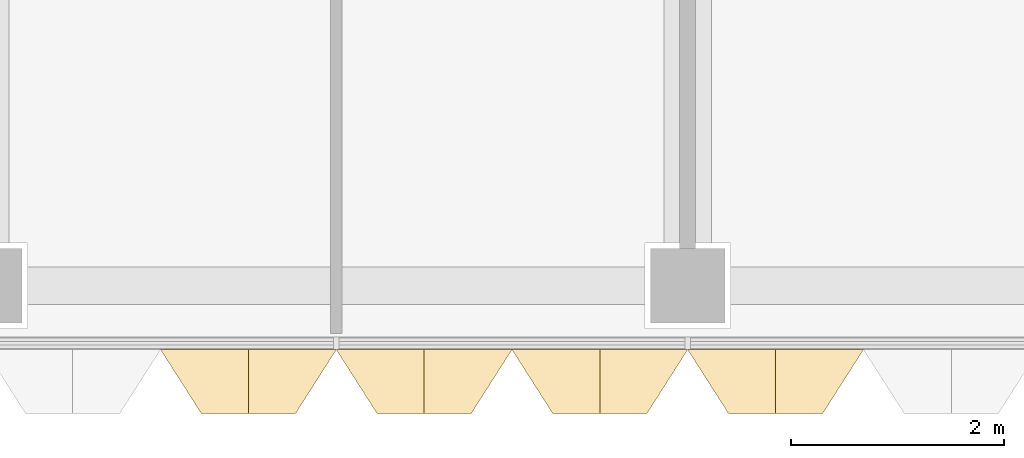
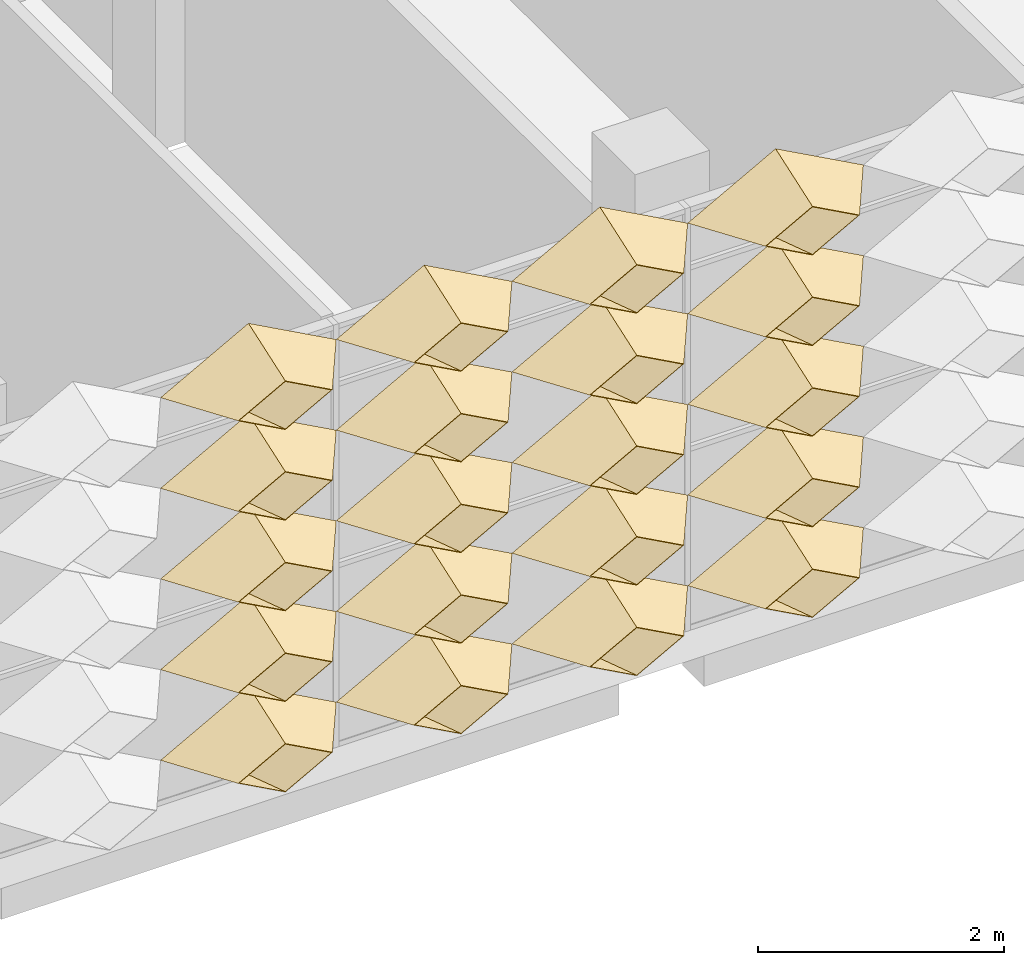
# One storey, part 16 of 29: 20 coverings.
"""IFC4 building model written with IfcOpenShell, lengths in metres."""

from ifc_helpers import new_model, entity, si_unit, direction, frame, origin, place, context, subcontext, project, spatial, material, layer, layer_set, type_object, element, save


model = new_model("IFC4")

# Units and contexts
model_context = context("Model", 3, precision=1e-05, world=origin(), true_north=direction((0.0, 1.0)))
body_context = subcontext(model_context, "Body", "Model", "MODEL_VIEW")
ifc_project = project(units=[si_unit("LENGTHUNIT", "METRE"), si_unit("AREAUNIT", "SQUARE_METRE"), si_unit("VOLUMEUNIT", "CUBIC_METRE"), si_unit("PLANEANGLEUNIT", "RADIAN"), si_unit("MASSUNIT", "GRAM", prefix="KILO")], contexts=[model_context])

# Site, building, storey
site_placement = place(None, origin())
site = spatial("IfcSite", under=ifc_project, at=site_placement, CompositionType="ELEMENT")
building_placement = place(site_placement, origin())
building = spatial("IfcBuilding", under=site, at=building_placement, Name="Lantern Court Research Institute", CompositionType="ELEMENT")
storey_placement = place(building_placement, frame((0.0, 0.0, 32.39990234375)))
storey = spatial("IfcBuildingStorey", under=building, at=storey_placement, Name="L07", CompositionType="ELEMENT", Elevation=32.39990234375)

# Coverings
ifc_material = material(Name="Anodised aluminium", Category="aluminium")
ifc_layer = layer(ifc_material, 0.01611328125)
ifc_layer_set = layer_set([ifc_layer], Name="Anodised aluminium")
covering_type = type_object("IfcCoveringType", Name="Fin cassette 1650 x 900 x 600 aluminium", PredefinedType="CLADDING", material=ifc_layer_set)
covering_1_placement = place(storey_placement, frame((68.47509765625, -8.39990234375, 0.4501953125), z_axis=(0.0, -1.0, 0.0), x_axis=(1.0, 0.0, 0.0)))
cartesian_point_1 = entity("IfcCartesianPoint", [0.824951171875, 0.0])
cartesian_point_2 = entity("IfcCartesianPoint", [0.79150390625, 0.0])
cartesian_point_3 = entity("IfcCartesianPoint", [0.44189453125, 0.0])
cartesian_point_4 = entity("IfcCartesianPoint", [0.43359375, 0.0])
element("IfcCovering", 1, at=covering_1_placement, inside=storey, type_object=covering_type, Name="Fin cassette V5S-L07 1.42", PredefinedType="CLADDING", context=body_context, shape_type="SweptSolid", body=[
    entity("IfcExtrudedAreaSolidTapered", entity("IfcArbitraryProfileDefWithVoids", "AREA", None, entity("IfcPolyline", [cartesian_point_1, entity("IfcCartesianPoint", [0.0, 0.449951171875]), entity("IfcCartesianPoint", [-0.824951171875, 0.0]), entity("IfcCartesianPoint", [0.0, -0.449951171875]), cartesian_point_1]), [entity("IfcPolyline", [cartesian_point_2, entity("IfcCartesianPoint", [0.0, 0.431884765625]), entity("IfcCartesianPoint", [-0.79150390625, 0.0]), entity("IfcCartesianPoint", [0.0, -0.431884765625]), cartesian_point_2])]), entity("IfcAxis2Placement3D", entity("IfcCartesianPoint", [0.0, 0.0, 0.0])), entity("IfcDirection", [0.0, 0.0, 1.0]), 0.60009765625, entity("IfcArbitraryProfileDefWithVoids", "AREA", None, entity("IfcPolyline", [cartesian_point_3, entity("IfcCartesianPoint", [0.0, 0.240966796875]), entity("IfcCartesianPoint", [-0.44189453125, 0.0]), entity("IfcCartesianPoint", [0.0, -0.240966796875]), cartesian_point_3]), [entity("IfcPolyline", [cartesian_point_4, entity("IfcCartesianPoint", [0.0, 0.236572265625]), entity("IfcCartesianPoint", [-0.43359375, 0.0]), entity("IfcCartesianPoint", [0.0, -0.236572265625]), cartesian_point_4])])),
])
covering_2_placement = place(storey_placement, frame((70.125, -8.39990234375, 0.4501953125), z_axis=(0.0, -1.0, 0.0), x_axis=(1.0, 0.0, 0.0)))
cartesian_point_5 = entity("IfcCartesianPoint", [0.824951171875, 0.0])
cartesian_point_6 = entity("IfcCartesianPoint", [0.79150390625, 0.0])
cartesian_point_7 = entity("IfcCartesianPoint", [0.44189453125, 0.0])
cartesian_point_8 = entity("IfcCartesianPoint", [0.43359375, 0.0])
element("IfcCovering", 2, at=covering_2_placement, inside=storey, type_object=covering_type, Name="Fin cassette V5S-L07 1.43", PredefinedType="CLADDING", context=body_context, shape_type="SweptSolid", body=[
    entity("IfcExtrudedAreaSolidTapered", entity("IfcArbitraryProfileDefWithVoids", "AREA", None, entity("IfcPolyline", [cartesian_point_5, entity("IfcCartesianPoint", [0.0, 0.449951171875]), entity("IfcCartesianPoint", [-0.824951171875, 0.0]), entity("IfcCartesianPoint", [0.0, -0.449951171875]), cartesian_point_5]), [entity("IfcPolyline", [cartesian_point_6, entity("IfcCartesianPoint", [0.0, 0.431884765625]), entity("IfcCartesianPoint", [-0.79150390625, 0.0]), entity("IfcCartesianPoint", [0.0, -0.431884765625]), cartesian_point_6])]), entity("IfcAxis2Placement3D", entity("IfcCartesianPoint", [0.0, 0.0, 0.0])), entity("IfcDirection", [0.0, 0.0, 1.0]), 0.60009765625, entity("IfcArbitraryProfileDefWithVoids", "AREA", None, entity("IfcPolyline", [cartesian_point_7, entity("IfcCartesianPoint", [0.0, 0.240966796875]), entity("IfcCartesianPoint", [-0.44189453125, 0.0]), entity("IfcCartesianPoint", [0.0, -0.240966796875]), cartesian_point_7]), [entity("IfcPolyline", [cartesian_point_8, entity("IfcCartesianPoint", [0.0, 0.236572265625]), entity("IfcCartesianPoint", [-0.43359375, 0.0]), entity("IfcCartesianPoint", [0.0, -0.236572265625]), cartesian_point_8])])),
])
covering_3_placement = place(storey_placement, frame((71.77490234375, -8.39990234375, 0.4501953125), z_axis=(0.0, -1.0, 0.0), x_axis=(1.0, 0.0, 0.0)))
cartesian_point_9 = entity("IfcCartesianPoint", [0.824951171875, 0.0])
cartesian_point_10 = entity("IfcCartesianPoint", [0.79150390625, 0.0])
cartesian_point_11 = entity("IfcCartesianPoint", [0.44189453125, 0.0])
cartesian_point_12 = entity("IfcCartesianPoint", [0.43359375, 0.0])
element("IfcCovering", 3, at=covering_3_placement, inside=storey, type_object=covering_type, Name="Fin cassette V5S-L07 1.44", PredefinedType="CLADDING", context=body_context, shape_type="SweptSolid", body=[
    entity("IfcExtrudedAreaSolidTapered", entity("IfcArbitraryProfileDefWithVoids", "AREA", None, entity("IfcPolyline", [cartesian_point_9, entity("IfcCartesianPoint", [0.0, 0.449951171875]), entity("IfcCartesianPoint", [-0.824951171875, 0.0]), entity("IfcCartesianPoint", [0.0, -0.449951171875]), cartesian_point_9]), [entity("IfcPolyline", [cartesian_point_10, entity("IfcCartesianPoint", [0.0, 0.431884765625]), entity("IfcCartesianPoint", [-0.79150390625, 0.0]), entity("IfcCartesianPoint", [0.0, -0.431884765625]), cartesian_point_10])]), entity("IfcAxis2Placement3D", entity("IfcCartesianPoint", [0.0, 0.0, 0.0])), entity("IfcDirection", [0.0, 0.0, 1.0]), 0.60009765625, entity("IfcArbitraryProfileDefWithVoids", "AREA", None, entity("IfcPolyline", [cartesian_point_11, entity("IfcCartesianPoint", [0.0, 0.240966796875]), entity("IfcCartesianPoint", [-0.44189453125, 0.0]), entity("IfcCartesianPoint", [0.0, -0.240966796875]), cartesian_point_11]), [entity("IfcPolyline", [cartesian_point_12, entity("IfcCartesianPoint", [0.0, 0.236572265625]), entity("IfcCartesianPoint", [-0.43359375, 0.0]), entity("IfcCartesianPoint", [0.0, -0.236572265625]), cartesian_point_12])])),
])
covering_4_placement = place(storey_placement, frame((73.425048828125, -8.39990234375, 0.4501953125), z_axis=(0.0, -1.0, 0.0), x_axis=(1.0, 0.0, 0.0)))
cartesian_point_13 = entity("IfcCartesianPoint", [0.824951171875, 0.0])
cartesian_point_14 = entity("IfcCartesianPoint", [0.79150390625, 0.0])
cartesian_point_15 = entity("IfcCartesianPoint", [0.44189453125, 0.0])
cartesian_point_16 = entity("IfcCartesianPoint", [0.43359375, 0.0])
element("IfcCovering", 4, at=covering_4_placement, inside=storey, type_object=covering_type, Name="Fin cassette V5S-L07 1.45", PredefinedType="CLADDING", context=body_context, shape_type="SweptSolid", body=[
    entity("IfcExtrudedAreaSolidTapered", entity("IfcArbitraryProfileDefWithVoids", "AREA", None, entity("IfcPolyline", [cartesian_point_13, entity("IfcCartesianPoint", [0.0, 0.449951171875]), entity("IfcCartesianPoint", [-0.824951171875, 0.0]), entity("IfcCartesianPoint", [0.0, -0.449951171875]), cartesian_point_13]), [entity("IfcPolyline", [cartesian_point_14, entity("IfcCartesianPoint", [0.0, 0.431884765625]), entity("IfcCartesianPoint", [-0.79150390625, 0.0]), entity("IfcCartesianPoint", [0.0, -0.431884765625]), cartesian_point_14])]), entity("IfcAxis2Placement3D", entity("IfcCartesianPoint", [0.0, 0.0, 0.0])), entity("IfcDirection", [0.0, 0.0, 1.0]), 0.60009765625, entity("IfcArbitraryProfileDefWithVoids", "AREA", None, entity("IfcPolyline", [cartesian_point_15, entity("IfcCartesianPoint", [0.0, 0.240966796875]), entity("IfcCartesianPoint", [-0.44189453125, 0.0]), entity("IfcCartesianPoint", [0.0, -0.240966796875]), cartesian_point_15]), [entity("IfcPolyline", [cartesian_point_16, entity("IfcCartesianPoint", [0.0, 0.236572265625]), entity("IfcCartesianPoint", [-0.43359375, 0.0]), entity("IfcCartesianPoint", [0.0, -0.236572265625]), cartesian_point_16])])),
])
covering_5_placement = place(storey_placement, frame((68.47509765625, -8.39990234375, 1.35009765625), z_axis=(0.0, -1.0, 0.0), x_axis=(1.0, 0.0, 0.0)))
cartesian_point_17 = entity("IfcCartesianPoint", [0.824951171875, 0.0])
cartesian_point_18 = entity("IfcCartesianPoint", [0.79150390625, 0.0])
cartesian_point_19 = entity("IfcCartesianPoint", [0.44189453125, 0.0])
cartesian_point_20 = entity("IfcCartesianPoint", [0.43359375, 0.0])
element("IfcCovering", 5, at=covering_5_placement, inside=storey, type_object=covering_type, Name="Fin cassette V5S-L07 2.42", PredefinedType="CLADDING", context=body_context, shape_type="SweptSolid", body=[
    entity("IfcExtrudedAreaSolidTapered", entity("IfcArbitraryProfileDefWithVoids", "AREA", None, entity("IfcPolyline", [cartesian_point_17, entity("IfcCartesianPoint", [0.0, 0.449951171875]), entity("IfcCartesianPoint", [-0.824951171875, 0.0]), entity("IfcCartesianPoint", [0.0, -0.449951171875]), cartesian_point_17]), [entity("IfcPolyline", [cartesian_point_18, entity("IfcCartesianPoint", [0.0, 0.431884765625]), entity("IfcCartesianPoint", [-0.79150390625, 0.0]), entity("IfcCartesianPoint", [0.0, -0.431884765625]), cartesian_point_18])]), entity("IfcAxis2Placement3D", entity("IfcCartesianPoint", [0.0, 0.0, 0.0])), entity("IfcDirection", [0.0, 0.0, 1.0]), 0.60009765625, entity("IfcArbitraryProfileDefWithVoids", "AREA", None, entity("IfcPolyline", [cartesian_point_19, entity("IfcCartesianPoint", [0.0, 0.240966796875]), entity("IfcCartesianPoint", [-0.44189453125, 0.0]), entity("IfcCartesianPoint", [0.0, -0.240966796875]), cartesian_point_19]), [entity("IfcPolyline", [cartesian_point_20, entity("IfcCartesianPoint", [0.0, 0.236572265625]), entity("IfcCartesianPoint", [-0.43359375, 0.0]), entity("IfcCartesianPoint", [0.0, -0.236572265625]), cartesian_point_20])])),
])
covering_6_placement = place(storey_placement, frame((70.125, -8.39990234375, 1.35009765625), z_axis=(0.0, -1.0, 0.0), x_axis=(1.0, 0.0, 0.0)))
cartesian_point_21 = entity("IfcCartesianPoint", [0.824951171875, 0.0])
cartesian_point_22 = entity("IfcCartesianPoint", [0.79150390625, 0.0])
cartesian_point_23 = entity("IfcCartesianPoint", [0.44189453125, 0.0])
cartesian_point_24 = entity("IfcCartesianPoint", [0.43359375, 0.0])
element("IfcCovering", 6, at=covering_6_placement, inside=storey, type_object=covering_type, Name="Fin cassette V5S-L07 2.43", PredefinedType="CLADDING", context=body_context, shape_type="SweptSolid", body=[
    entity("IfcExtrudedAreaSolidTapered", entity("IfcArbitraryProfileDefWithVoids", "AREA", None, entity("IfcPolyline", [cartesian_point_21, entity("IfcCartesianPoint", [0.0, 0.449951171875]), entity("IfcCartesianPoint", [-0.824951171875, 0.0]), entity("IfcCartesianPoint", [0.0, -0.449951171875]), cartesian_point_21]), [entity("IfcPolyline", [cartesian_point_22, entity("IfcCartesianPoint", [0.0, 0.431884765625]), entity("IfcCartesianPoint", [-0.79150390625, 0.0]), entity("IfcCartesianPoint", [0.0, -0.431884765625]), cartesian_point_22])]), entity("IfcAxis2Placement3D", entity("IfcCartesianPoint", [0.0, 0.0, 0.0])), entity("IfcDirection", [0.0, 0.0, 1.0]), 0.60009765625, entity("IfcArbitraryProfileDefWithVoids", "AREA", None, entity("IfcPolyline", [cartesian_point_23, entity("IfcCartesianPoint", [0.0, 0.240966796875]), entity("IfcCartesianPoint", [-0.44189453125, 0.0]), entity("IfcCartesianPoint", [0.0, -0.240966796875]), cartesian_point_23]), [entity("IfcPolyline", [cartesian_point_24, entity("IfcCartesianPoint", [0.0, 0.236572265625]), entity("IfcCartesianPoint", [-0.43359375, 0.0]), entity("IfcCartesianPoint", [0.0, -0.236572265625]), cartesian_point_24])])),
])
covering_7_placement = place(storey_placement, frame((71.77490234375, -8.39990234375, 1.35009765625), z_axis=(0.0, -1.0, 0.0), x_axis=(1.0, 0.0, 0.0)))
cartesian_point_25 = entity("IfcCartesianPoint", [0.824951171875, 0.0])
cartesian_point_26 = entity("IfcCartesianPoint", [0.79150390625, 0.0])
cartesian_point_27 = entity("IfcCartesianPoint", [0.44189453125, 0.0])
cartesian_point_28 = entity("IfcCartesianPoint", [0.43359375, 0.0])
element("IfcCovering", 7, at=covering_7_placement, inside=storey, type_object=covering_type, Name="Fin cassette V5S-L07 2.44", PredefinedType="CLADDING", context=body_context, shape_type="SweptSolid", body=[
    entity("IfcExtrudedAreaSolidTapered", entity("IfcArbitraryProfileDefWithVoids", "AREA", None, entity("IfcPolyline", [cartesian_point_25, entity("IfcCartesianPoint", [0.0, 0.449951171875]), entity("IfcCartesianPoint", [-0.824951171875, 0.0]), entity("IfcCartesianPoint", [0.0, -0.449951171875]), cartesian_point_25]), [entity("IfcPolyline", [cartesian_point_26, entity("IfcCartesianPoint", [0.0, 0.431884765625]), entity("IfcCartesianPoint", [-0.79150390625, 0.0]), entity("IfcCartesianPoint", [0.0, -0.431884765625]), cartesian_point_26])]), entity("IfcAxis2Placement3D", entity("IfcCartesianPoint", [0.0, 0.0, 0.0])), entity("IfcDirection", [0.0, 0.0, 1.0]), 0.60009765625, entity("IfcArbitraryProfileDefWithVoids", "AREA", None, entity("IfcPolyline", [cartesian_point_27, entity("IfcCartesianPoint", [0.0, 0.240966796875]), entity("IfcCartesianPoint", [-0.44189453125, 0.0]), entity("IfcCartesianPoint", [0.0, -0.240966796875]), cartesian_point_27]), [entity("IfcPolyline", [cartesian_point_28, entity("IfcCartesianPoint", [0.0, 0.236572265625]), entity("IfcCartesianPoint", [-0.43359375, 0.0]), entity("IfcCartesianPoint", [0.0, -0.236572265625]), cartesian_point_28])])),
])
covering_8_placement = place(storey_placement, frame((73.425048828125, -8.39990234375, 1.35009765625), z_axis=(0.0, -1.0, 0.0), x_axis=(1.0, 0.0, 0.0)))
cartesian_point_29 = entity("IfcCartesianPoint", [0.824951171875, 0.0])
cartesian_point_30 = entity("IfcCartesianPoint", [0.79150390625, 0.0])
cartesian_point_31 = entity("IfcCartesianPoint", [0.44189453125, 0.0])
cartesian_point_32 = entity("IfcCartesianPoint", [0.43359375, 0.0])
element("IfcCovering", 8, at=covering_8_placement, inside=storey, type_object=covering_type, Name="Fin cassette V5S-L07 2.45", PredefinedType="CLADDING", context=body_context, shape_type="SweptSolid", body=[
    entity("IfcExtrudedAreaSolidTapered", entity("IfcArbitraryProfileDefWithVoids", "AREA", None, entity("IfcPolyline", [cartesian_point_29, entity("IfcCartesianPoint", [0.0, 0.449951171875]), entity("IfcCartesianPoint", [-0.824951171875, 0.0]), entity("IfcCartesianPoint", [0.0, -0.449951171875]), cartesian_point_29]), [entity("IfcPolyline", [cartesian_point_30, entity("IfcCartesianPoint", [0.0, 0.431884765625]), entity("IfcCartesianPoint", [-0.79150390625, 0.0]), entity("IfcCartesianPoint", [0.0, -0.431884765625]), cartesian_point_30])]), entity("IfcAxis2Placement3D", entity("IfcCartesianPoint", [0.0, 0.0, 0.0])), entity("IfcDirection", [0.0, 0.0, 1.0]), 0.60009765625, entity("IfcArbitraryProfileDefWithVoids", "AREA", None, entity("IfcPolyline", [cartesian_point_31, entity("IfcCartesianPoint", [0.0, 0.240966796875]), entity("IfcCartesianPoint", [-0.44189453125, 0.0]), entity("IfcCartesianPoint", [0.0, -0.240966796875]), cartesian_point_31]), [entity("IfcPolyline", [cartesian_point_32, entity("IfcCartesianPoint", [0.0, 0.236572265625]), entity("IfcCartesianPoint", [-0.43359375, 0.0]), entity("IfcCartesianPoint", [0.0, -0.236572265625]), cartesian_point_32])])),
])
covering_9_placement = place(storey_placement, frame((68.47509765625, -8.39990234375, 2.25), z_axis=(0.0, -1.0, 0.0), x_axis=(1.0, 0.0, 0.0)))
cartesian_point_33 = entity("IfcCartesianPoint", [0.824951171875, 0.0])
cartesian_point_34 = entity("IfcCartesianPoint", [0.79150390625, 0.0])
cartesian_point_35 = entity("IfcCartesianPoint", [0.44189453125, 0.0])
cartesian_point_36 = entity("IfcCartesianPoint", [0.43359375, 0.0])
element("IfcCovering", 9, at=covering_9_placement, inside=storey, type_object=covering_type, Name="Fin cassette V5S-L07 3.42", PredefinedType="CLADDING", context=body_context, shape_type="SweptSolid", body=[
    entity("IfcExtrudedAreaSolidTapered", entity("IfcArbitraryProfileDefWithVoids", "AREA", None, entity("IfcPolyline", [cartesian_point_33, entity("IfcCartesianPoint", [0.0, 0.449951171875]), entity("IfcCartesianPoint", [-0.824951171875, 0.0]), entity("IfcCartesianPoint", [0.0, -0.449951171875]), cartesian_point_33]), [entity("IfcPolyline", [cartesian_point_34, entity("IfcCartesianPoint", [0.0, 0.431884765625]), entity("IfcCartesianPoint", [-0.79150390625, 0.0]), entity("IfcCartesianPoint", [0.0, -0.431884765625]), cartesian_point_34])]), entity("IfcAxis2Placement3D", entity("IfcCartesianPoint", [0.0, 0.0, 0.0])), entity("IfcDirection", [0.0, 0.0, 1.0]), 0.60009765625, entity("IfcArbitraryProfileDefWithVoids", "AREA", None, entity("IfcPolyline", [cartesian_point_35, entity("IfcCartesianPoint", [0.0, 0.240966796875]), entity("IfcCartesianPoint", [-0.44189453125, 0.0]), entity("IfcCartesianPoint", [0.0, -0.240966796875]), cartesian_point_35]), [entity("IfcPolyline", [cartesian_point_36, entity("IfcCartesianPoint", [0.0, 0.236572265625]), entity("IfcCartesianPoint", [-0.43359375, 0.0]), entity("IfcCartesianPoint", [0.0, -0.236572265625]), cartesian_point_36])])),
])
covering_10_placement = place(storey_placement, frame((70.125, -8.39990234375, 2.25), z_axis=(0.0, -1.0, 0.0), x_axis=(1.0, 0.0, 0.0)))
cartesian_point_37 = entity("IfcCartesianPoint", [0.824951171875, 0.0])
cartesian_point_38 = entity("IfcCartesianPoint", [0.79150390625, 0.0])
cartesian_point_39 = entity("IfcCartesianPoint", [0.44189453125, 0.0])
cartesian_point_40 = entity("IfcCartesianPoint", [0.43359375, 0.0])
element("IfcCovering", 10, at=covering_10_placement, inside=storey, type_object=covering_type, Name="Fin cassette V5S-L07 3.43", PredefinedType="CLADDING", context=body_context, shape_type="SweptSolid", body=[
    entity("IfcExtrudedAreaSolidTapered", entity("IfcArbitraryProfileDefWithVoids", "AREA", None, entity("IfcPolyline", [cartesian_point_37, entity("IfcCartesianPoint", [0.0, 0.449951171875]), entity("IfcCartesianPoint", [-0.824951171875, 0.0]), entity("IfcCartesianPoint", [0.0, -0.449951171875]), cartesian_point_37]), [entity("IfcPolyline", [cartesian_point_38, entity("IfcCartesianPoint", [0.0, 0.431884765625]), entity("IfcCartesianPoint", [-0.79150390625, 0.0]), entity("IfcCartesianPoint", [0.0, -0.431884765625]), cartesian_point_38])]), entity("IfcAxis2Placement3D", entity("IfcCartesianPoint", [0.0, 0.0, 0.0])), entity("IfcDirection", [0.0, 0.0, 1.0]), 0.60009765625, entity("IfcArbitraryProfileDefWithVoids", "AREA", None, entity("IfcPolyline", [cartesian_point_39, entity("IfcCartesianPoint", [0.0, 0.240966796875]), entity("IfcCartesianPoint", [-0.44189453125, 0.0]), entity("IfcCartesianPoint", [0.0, -0.240966796875]), cartesian_point_39]), [entity("IfcPolyline", [cartesian_point_40, entity("IfcCartesianPoint", [0.0, 0.236572265625]), entity("IfcCartesianPoint", [-0.43359375, 0.0]), entity("IfcCartesianPoint", [0.0, -0.236572265625]), cartesian_point_40])])),
])
covering_11_placement = place(storey_placement, frame((71.77490234375, -8.39990234375, 2.25), z_axis=(0.0, -1.0, 0.0), x_axis=(1.0, 0.0, 0.0)))
cartesian_point_41 = entity("IfcCartesianPoint", [0.824951171875, 0.0])
cartesian_point_42 = entity("IfcCartesianPoint", [0.79150390625, 0.0])
cartesian_point_43 = entity("IfcCartesianPoint", [0.44189453125, 0.0])
cartesian_point_44 = entity("IfcCartesianPoint", [0.43359375, 0.0])
element("IfcCovering", 11, at=covering_11_placement, inside=storey, type_object=covering_type, Name="Fin cassette V5S-L07 3.44", PredefinedType="CLADDING", context=body_context, shape_type="SweptSolid", body=[
    entity("IfcExtrudedAreaSolidTapered", entity("IfcArbitraryProfileDefWithVoids", "AREA", None, entity("IfcPolyline", [cartesian_point_41, entity("IfcCartesianPoint", [0.0, 0.449951171875]), entity("IfcCartesianPoint", [-0.824951171875, 0.0]), entity("IfcCartesianPoint", [0.0, -0.449951171875]), cartesian_point_41]), [entity("IfcPolyline", [cartesian_point_42, entity("IfcCartesianPoint", [0.0, 0.431884765625]), entity("IfcCartesianPoint", [-0.79150390625, 0.0]), entity("IfcCartesianPoint", [0.0, -0.431884765625]), cartesian_point_42])]), entity("IfcAxis2Placement3D", entity("IfcCartesianPoint", [0.0, 0.0, 0.0])), entity("IfcDirection", [0.0, 0.0, 1.0]), 0.60009765625, entity("IfcArbitraryProfileDefWithVoids", "AREA", None, entity("IfcPolyline", [cartesian_point_43, entity("IfcCartesianPoint", [0.0, 0.240966796875]), entity("IfcCartesianPoint", [-0.44189453125, 0.0]), entity("IfcCartesianPoint", [0.0, -0.240966796875]), cartesian_point_43]), [entity("IfcPolyline", [cartesian_point_44, entity("IfcCartesianPoint", [0.0, 0.236572265625]), entity("IfcCartesianPoint", [-0.43359375, 0.0]), entity("IfcCartesianPoint", [0.0, -0.236572265625]), cartesian_point_44])])),
])
covering_12_placement = place(storey_placement, frame((73.425048828125, -8.39990234375, 2.25), z_axis=(0.0, -1.0, 0.0), x_axis=(1.0, 0.0, 0.0)))
cartesian_point_45 = entity("IfcCartesianPoint", [0.824951171875, 0.0])
cartesian_point_46 = entity("IfcCartesianPoint", [0.79150390625, 0.0])
cartesian_point_47 = entity("IfcCartesianPoint", [0.44189453125, 0.0])
cartesian_point_48 = entity("IfcCartesianPoint", [0.43359375, 0.0])
element("IfcCovering", 12, at=covering_12_placement, inside=storey, type_object=covering_type, Name="Fin cassette V5S-L07 3.45", PredefinedType="CLADDING", context=body_context, shape_type="SweptSolid", body=[
    entity("IfcExtrudedAreaSolidTapered", entity("IfcArbitraryProfileDefWithVoids", "AREA", None, entity("IfcPolyline", [cartesian_point_45, entity("IfcCartesianPoint", [0.0, 0.449951171875]), entity("IfcCartesianPoint", [-0.824951171875, 0.0]), entity("IfcCartesianPoint", [0.0, -0.449951171875]), cartesian_point_45]), [entity("IfcPolyline", [cartesian_point_46, entity("IfcCartesianPoint", [0.0, 0.431884765625]), entity("IfcCartesianPoint", [-0.79150390625, 0.0]), entity("IfcCartesianPoint", [0.0, -0.431884765625]), cartesian_point_46])]), entity("IfcAxis2Placement3D", entity("IfcCartesianPoint", [0.0, 0.0, 0.0])), entity("IfcDirection", [0.0, 0.0, 1.0]), 0.60009765625, entity("IfcArbitraryProfileDefWithVoids", "AREA", None, entity("IfcPolyline", [cartesian_point_47, entity("IfcCartesianPoint", [0.0, 0.240966796875]), entity("IfcCartesianPoint", [-0.44189453125, 0.0]), entity("IfcCartesianPoint", [0.0, -0.240966796875]), cartesian_point_47]), [entity("IfcPolyline", [cartesian_point_48, entity("IfcCartesianPoint", [0.0, 0.236572265625]), entity("IfcCartesianPoint", [-0.43359375, 0.0]), entity("IfcCartesianPoint", [0.0, -0.236572265625]), cartesian_point_48])])),
])
covering_13_placement = place(storey_placement, frame((68.47509765625, -8.39990234375, 3.150146484375), z_axis=(0.0, -1.0, 0.0), x_axis=(1.0, 0.0, 0.0)))
cartesian_point_49 = entity("IfcCartesianPoint", [0.824951171875, 0.0])
cartesian_point_50 = entity("IfcCartesianPoint", [0.79150390625, 0.0])
cartesian_point_51 = entity("IfcCartesianPoint", [0.44189453125, 0.0])
cartesian_point_52 = entity("IfcCartesianPoint", [0.43359375, 0.0])
element("IfcCovering", 13, at=covering_13_placement, inside=storey, type_object=covering_type, Name="Fin cassette V5S-L07 4.42", PredefinedType="CLADDING", context=body_context, shape_type="SweptSolid", body=[
    entity("IfcExtrudedAreaSolidTapered", entity("IfcArbitraryProfileDefWithVoids", "AREA", None, entity("IfcPolyline", [cartesian_point_49, entity("IfcCartesianPoint", [0.0, 0.449951171875]), entity("IfcCartesianPoint", [-0.824951171875, 0.0]), entity("IfcCartesianPoint", [0.0, -0.449951171875]), cartesian_point_49]), [entity("IfcPolyline", [cartesian_point_50, entity("IfcCartesianPoint", [0.0, 0.431884765625]), entity("IfcCartesianPoint", [-0.79150390625, 0.0]), entity("IfcCartesianPoint", [0.0, -0.431884765625]), cartesian_point_50])]), entity("IfcAxis2Placement3D", entity("IfcCartesianPoint", [0.0, 0.0, 0.0])), entity("IfcDirection", [0.0, 0.0, 1.0]), 0.60009765625, entity("IfcArbitraryProfileDefWithVoids", "AREA", None, entity("IfcPolyline", [cartesian_point_51, entity("IfcCartesianPoint", [0.0, 0.240966796875]), entity("IfcCartesianPoint", [-0.44189453125, 0.0]), entity("IfcCartesianPoint", [0.0, -0.240966796875]), cartesian_point_51]), [entity("IfcPolyline", [cartesian_point_52, entity("IfcCartesianPoint", [0.0, 0.236572265625]), entity("IfcCartesianPoint", [-0.43359375, 0.0]), entity("IfcCartesianPoint", [0.0, -0.236572265625]), cartesian_point_52])])),
])
covering_14_placement = place(storey_placement, frame((70.125, -8.39990234375, 3.150146484375), z_axis=(0.0, -1.0, 0.0), x_axis=(1.0, 0.0, 0.0)))
cartesian_point_53 = entity("IfcCartesianPoint", [0.824951171875, 0.0])
cartesian_point_54 = entity("IfcCartesianPoint", [0.79150390625, 0.0])
cartesian_point_55 = entity("IfcCartesianPoint", [0.44189453125, 0.0])
cartesian_point_56 = entity("IfcCartesianPoint", [0.43359375, 0.0])
element("IfcCovering", 14, at=covering_14_placement, inside=storey, type_object=covering_type, Name="Fin cassette V5S-L07 4.43", PredefinedType="CLADDING", context=body_context, shape_type="SweptSolid", body=[
    entity("IfcExtrudedAreaSolidTapered", entity("IfcArbitraryProfileDefWithVoids", "AREA", None, entity("IfcPolyline", [cartesian_point_53, entity("IfcCartesianPoint", [0.0, 0.449951171875]), entity("IfcCartesianPoint", [-0.824951171875, 0.0]), entity("IfcCartesianPoint", [0.0, -0.449951171875]), cartesian_point_53]), [entity("IfcPolyline", [cartesian_point_54, entity("IfcCartesianPoint", [0.0, 0.431884765625]), entity("IfcCartesianPoint", [-0.79150390625, 0.0]), entity("IfcCartesianPoint", [0.0, -0.431884765625]), cartesian_point_54])]), entity("IfcAxis2Placement3D", entity("IfcCartesianPoint", [0.0, 0.0, 0.0])), entity("IfcDirection", [0.0, 0.0, 1.0]), 0.60009765625, entity("IfcArbitraryProfileDefWithVoids", "AREA", None, entity("IfcPolyline", [cartesian_point_55, entity("IfcCartesianPoint", [0.0, 0.240966796875]), entity("IfcCartesianPoint", [-0.44189453125, 0.0]), entity("IfcCartesianPoint", [0.0, -0.240966796875]), cartesian_point_55]), [entity("IfcPolyline", [cartesian_point_56, entity("IfcCartesianPoint", [0.0, 0.236572265625]), entity("IfcCartesianPoint", [-0.43359375, 0.0]), entity("IfcCartesianPoint", [0.0, -0.236572265625]), cartesian_point_56])])),
])
covering_15_placement = place(storey_placement, frame((71.77490234375, -8.39990234375, 3.150146484375), z_axis=(0.0, -1.0, 0.0), x_axis=(1.0, 0.0, 0.0)))
cartesian_point_57 = entity("IfcCartesianPoint", [0.824951171875, 0.0])
cartesian_point_58 = entity("IfcCartesianPoint", [0.79150390625, 0.0])
cartesian_point_59 = entity("IfcCartesianPoint", [0.44189453125, 0.0])
cartesian_point_60 = entity("IfcCartesianPoint", [0.43359375, 0.0])
element("IfcCovering", 15, at=covering_15_placement, inside=storey, type_object=covering_type, Name="Fin cassette V5S-L07 4.44", PredefinedType="CLADDING", context=body_context, shape_type="SweptSolid", body=[
    entity("IfcExtrudedAreaSolidTapered", entity("IfcArbitraryProfileDefWithVoids", "AREA", None, entity("IfcPolyline", [cartesian_point_57, entity("IfcCartesianPoint", [0.0, 0.449951171875]), entity("IfcCartesianPoint", [-0.824951171875, 0.0]), entity("IfcCartesianPoint", [0.0, -0.449951171875]), cartesian_point_57]), [entity("IfcPolyline", [cartesian_point_58, entity("IfcCartesianPoint", [0.0, 0.431884765625]), entity("IfcCartesianPoint", [-0.79150390625, 0.0]), entity("IfcCartesianPoint", [0.0, -0.431884765625]), cartesian_point_58])]), entity("IfcAxis2Placement3D", entity("IfcCartesianPoint", [0.0, 0.0, 0.0])), entity("IfcDirection", [0.0, 0.0, 1.0]), 0.60009765625, entity("IfcArbitraryProfileDefWithVoids", "AREA", None, entity("IfcPolyline", [cartesian_point_59, entity("IfcCartesianPoint", [0.0, 0.240966796875]), entity("IfcCartesianPoint", [-0.44189453125, 0.0]), entity("IfcCartesianPoint", [0.0, -0.240966796875]), cartesian_point_59]), [entity("IfcPolyline", [cartesian_point_60, entity("IfcCartesianPoint", [0.0, 0.236572265625]), entity("IfcCartesianPoint", [-0.43359375, 0.0]), entity("IfcCartesianPoint", [0.0, -0.236572265625]), cartesian_point_60])])),
])
covering_16_placement = place(storey_placement, frame((73.425048828125, -8.39990234375, 3.150146484375), z_axis=(0.0, -1.0, 0.0), x_axis=(1.0, 0.0, 0.0)))
cartesian_point_61 = entity("IfcCartesianPoint", [0.824951171875, 0.0])
cartesian_point_62 = entity("IfcCartesianPoint", [0.79150390625, 0.0])
cartesian_point_63 = entity("IfcCartesianPoint", [0.44189453125, 0.0])
cartesian_point_64 = entity("IfcCartesianPoint", [0.43359375, 0.0])
element("IfcCovering", 16, at=covering_16_placement, inside=storey, type_object=covering_type, Name="Fin cassette V5S-L07 4.45", PredefinedType="CLADDING", context=body_context, shape_type="SweptSolid", body=[
    entity("IfcExtrudedAreaSolidTapered", entity("IfcArbitraryProfileDefWithVoids", "AREA", None, entity("IfcPolyline", [cartesian_point_61, entity("IfcCartesianPoint", [0.0, 0.449951171875]), entity("IfcCartesianPoint", [-0.824951171875, 0.0]), entity("IfcCartesianPoint", [0.0, -0.449951171875]), cartesian_point_61]), [entity("IfcPolyline", [cartesian_point_62, entity("IfcCartesianPoint", [0.0, 0.431884765625]), entity("IfcCartesianPoint", [-0.79150390625, 0.0]), entity("IfcCartesianPoint", [0.0, -0.431884765625]), cartesian_point_62])]), entity("IfcAxis2Placement3D", entity("IfcCartesianPoint", [0.0, 0.0, 0.0])), entity("IfcDirection", [0.0, 0.0, 1.0]), 0.60009765625, entity("IfcArbitraryProfileDefWithVoids", "AREA", None, entity("IfcPolyline", [cartesian_point_63, entity("IfcCartesianPoint", [0.0, 0.240966796875]), entity("IfcCartesianPoint", [-0.44189453125, 0.0]), entity("IfcCartesianPoint", [0.0, -0.240966796875]), cartesian_point_63]), [entity("IfcPolyline", [cartesian_point_64, entity("IfcCartesianPoint", [0.0, 0.236572265625]), entity("IfcCartesianPoint", [-0.43359375, 0.0]), entity("IfcCartesianPoint", [0.0, -0.236572265625]), cartesian_point_64])])),
])
covering_17_placement = place(storey_placement, frame((68.47509765625, -8.39990234375, 4.050048828125), z_axis=(0.0, -1.0, 0.0), x_axis=(1.0, 0.0, 0.0)))
cartesian_point_65 = entity("IfcCartesianPoint", [0.824951171875, 0.0])
cartesian_point_66 = entity("IfcCartesianPoint", [0.79150390625, 0.0])
cartesian_point_67 = entity("IfcCartesianPoint", [0.44189453125, 0.0])
cartesian_point_68 = entity("IfcCartesianPoint", [0.43359375, 0.0])
element("IfcCovering", 17, at=covering_17_placement, inside=storey, type_object=covering_type, Name="Fin cassette V5S-L07 5.42", PredefinedType="CLADDING", context=body_context, shape_type="SweptSolid", body=[
    entity("IfcExtrudedAreaSolidTapered", entity("IfcArbitraryProfileDefWithVoids", "AREA", None, entity("IfcPolyline", [cartesian_point_65, entity("IfcCartesianPoint", [0.0, 0.449951171875]), entity("IfcCartesianPoint", [-0.824951171875, 0.0]), entity("IfcCartesianPoint", [0.0, -0.449951171875]), cartesian_point_65]), [entity("IfcPolyline", [cartesian_point_66, entity("IfcCartesianPoint", [0.0, 0.431884765625]), entity("IfcCartesianPoint", [-0.79150390625, 0.0]), entity("IfcCartesianPoint", [0.0, -0.431884765625]), cartesian_point_66])]), entity("IfcAxis2Placement3D", entity("IfcCartesianPoint", [0.0, 0.0, 0.0])), entity("IfcDirection", [0.0, 0.0, 1.0]), 0.60009765625, entity("IfcArbitraryProfileDefWithVoids", "AREA", None, entity("IfcPolyline", [cartesian_point_67, entity("IfcCartesianPoint", [0.0, 0.240966796875]), entity("IfcCartesianPoint", [-0.44189453125, 0.0]), entity("IfcCartesianPoint", [0.0, -0.240966796875]), cartesian_point_67]), [entity("IfcPolyline", [cartesian_point_68, entity("IfcCartesianPoint", [0.0, 0.236572265625]), entity("IfcCartesianPoint", [-0.43359375, 0.0]), entity("IfcCartesianPoint", [0.0, -0.236572265625]), cartesian_point_68])])),
])
covering_18_placement = place(storey_placement, frame((70.125, -8.39990234375, 4.050048828125), z_axis=(0.0, -1.0, 0.0), x_axis=(1.0, 0.0, 0.0)))
cartesian_point_69 = entity("IfcCartesianPoint", [0.824951171875, 0.0])
cartesian_point_70 = entity("IfcCartesianPoint", [0.79150390625, 0.0])
cartesian_point_71 = entity("IfcCartesianPoint", [0.44189453125, 0.0])
cartesian_point_72 = entity("IfcCartesianPoint", [0.43359375, 0.0])
element("IfcCovering", 18, at=covering_18_placement, inside=storey, type_object=covering_type, Name="Fin cassette V5S-L07 5.43", PredefinedType="CLADDING", context=body_context, shape_type="SweptSolid", body=[
    entity("IfcExtrudedAreaSolidTapered", entity("IfcArbitraryProfileDefWithVoids", "AREA", None, entity("IfcPolyline", [cartesian_point_69, entity("IfcCartesianPoint", [0.0, 0.449951171875]), entity("IfcCartesianPoint", [-0.824951171875, 0.0]), entity("IfcCartesianPoint", [0.0, -0.449951171875]), cartesian_point_69]), [entity("IfcPolyline", [cartesian_point_70, entity("IfcCartesianPoint", [0.0, 0.431884765625]), entity("IfcCartesianPoint", [-0.79150390625, 0.0]), entity("IfcCartesianPoint", [0.0, -0.431884765625]), cartesian_point_70])]), entity("IfcAxis2Placement3D", entity("IfcCartesianPoint", [0.0, 0.0, 0.0])), entity("IfcDirection", [0.0, 0.0, 1.0]), 0.60009765625, entity("IfcArbitraryProfileDefWithVoids", "AREA", None, entity("IfcPolyline", [cartesian_point_71, entity("IfcCartesianPoint", [0.0, 0.240966796875]), entity("IfcCartesianPoint", [-0.44189453125, 0.0]), entity("IfcCartesianPoint", [0.0, -0.240966796875]), cartesian_point_71]), [entity("IfcPolyline", [cartesian_point_72, entity("IfcCartesianPoint", [0.0, 0.236572265625]), entity("IfcCartesianPoint", [-0.43359375, 0.0]), entity("IfcCartesianPoint", [0.0, -0.236572265625]), cartesian_point_72])])),
])
covering_19_placement = place(storey_placement, frame((71.77490234375, -8.39990234375, 4.050048828125), z_axis=(0.0, -1.0, 0.0), x_axis=(1.0, 0.0, 0.0)))
cartesian_point_73 = entity("IfcCartesianPoint", [0.824951171875, 0.0])
cartesian_point_74 = entity("IfcCartesianPoint", [0.79150390625, 0.0])
cartesian_point_75 = entity("IfcCartesianPoint", [0.44189453125, 0.0])
cartesian_point_76 = entity("IfcCartesianPoint", [0.43359375, 0.0])
element("IfcCovering", 19, at=covering_19_placement, inside=storey, type_object=covering_type, Name="Fin cassette V5S-L07 5.44", PredefinedType="CLADDING", context=body_context, shape_type="SweptSolid", body=[
    entity("IfcExtrudedAreaSolidTapered", entity("IfcArbitraryProfileDefWithVoids", "AREA", None, entity("IfcPolyline", [cartesian_point_73, entity("IfcCartesianPoint", [0.0, 0.449951171875]), entity("IfcCartesianPoint", [-0.824951171875, 0.0]), entity("IfcCartesianPoint", [0.0, -0.449951171875]), cartesian_point_73]), [entity("IfcPolyline", [cartesian_point_74, entity("IfcCartesianPoint", [0.0, 0.431884765625]), entity("IfcCartesianPoint", [-0.79150390625, 0.0]), entity("IfcCartesianPoint", [0.0, -0.431884765625]), cartesian_point_74])]), entity("IfcAxis2Placement3D", entity("IfcCartesianPoint", [0.0, 0.0, 0.0])), entity("IfcDirection", [0.0, 0.0, 1.0]), 0.60009765625, entity("IfcArbitraryProfileDefWithVoids", "AREA", None, entity("IfcPolyline", [cartesian_point_75, entity("IfcCartesianPoint", [0.0, 0.240966796875]), entity("IfcCartesianPoint", [-0.44189453125, 0.0]), entity("IfcCartesianPoint", [0.0, -0.240966796875]), cartesian_point_75]), [entity("IfcPolyline", [cartesian_point_76, entity("IfcCartesianPoint", [0.0, 0.236572265625]), entity("IfcCartesianPoint", [-0.43359375, 0.0]), entity("IfcCartesianPoint", [0.0, -0.236572265625]), cartesian_point_76])])),
])
covering_20_placement = place(storey_placement, frame((73.425048828125, -8.39990234375, 4.050048828125), z_axis=(0.0, -1.0, 0.0), x_axis=(1.0, 0.0, 0.0)))
cartesian_point_77 = entity("IfcCartesianPoint", [0.824951171875, 0.0])
cartesian_point_78 = entity("IfcCartesianPoint", [0.79150390625, 0.0])
cartesian_point_79 = entity("IfcCartesianPoint", [0.44189453125, 0.0])
cartesian_point_80 = entity("IfcCartesianPoint", [0.43359375, 0.0])
element("IfcCovering", 20, at=covering_20_placement, inside=storey, type_object=covering_type, Name="Fin cassette V5S-L07 5.45", PredefinedType="CLADDING", context=body_context, shape_type="SweptSolid", body=[
    entity("IfcExtrudedAreaSolidTapered", entity("IfcArbitraryProfileDefWithVoids", "AREA", None, entity("IfcPolyline", [cartesian_point_77, entity("IfcCartesianPoint", [0.0, 0.449951171875]), entity("IfcCartesianPoint", [-0.824951171875, 0.0]), entity("IfcCartesianPoint", [0.0, -0.449951171875]), cartesian_point_77]), [entity("IfcPolyline", [cartesian_point_78, entity("IfcCartesianPoint", [0.0, 0.431884765625]), entity("IfcCartesianPoint", [-0.79150390625, 0.0]), entity("IfcCartesianPoint", [0.0, -0.431884765625]), cartesian_point_78])]), entity("IfcAxis2Placement3D", entity("IfcCartesianPoint", [0.0, 0.0, 0.0])), entity("IfcDirection", [0.0, 0.0, 1.0]), 0.60009765625, entity("IfcArbitraryProfileDefWithVoids", "AREA", None, entity("IfcPolyline", [cartesian_point_79, entity("IfcCartesianPoint", [0.0, 0.240966796875]), entity("IfcCartesianPoint", [-0.44189453125, 0.0]), entity("IfcCartesianPoint", [0.0, -0.240966796875]), cartesian_point_79]), [entity("IfcPolyline", [cartesian_point_80, entity("IfcCartesianPoint", [0.0, 0.236572265625]), entity("IfcCartesianPoint", [-0.43359375, 0.0]), entity("IfcCartesianPoint", [0.0, -0.236572265625]), cartesian_point_80])])),
])

save(model, "model.ifc")
